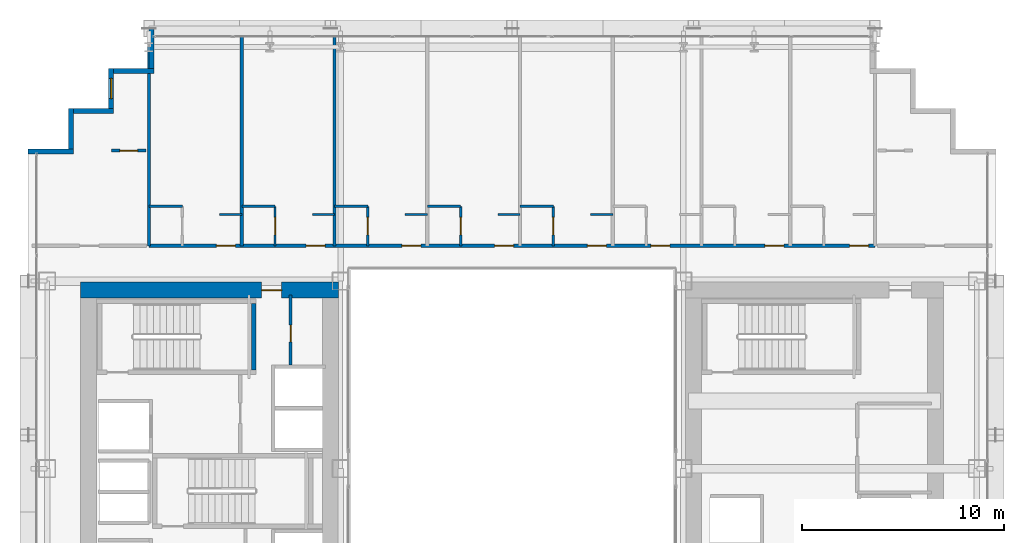
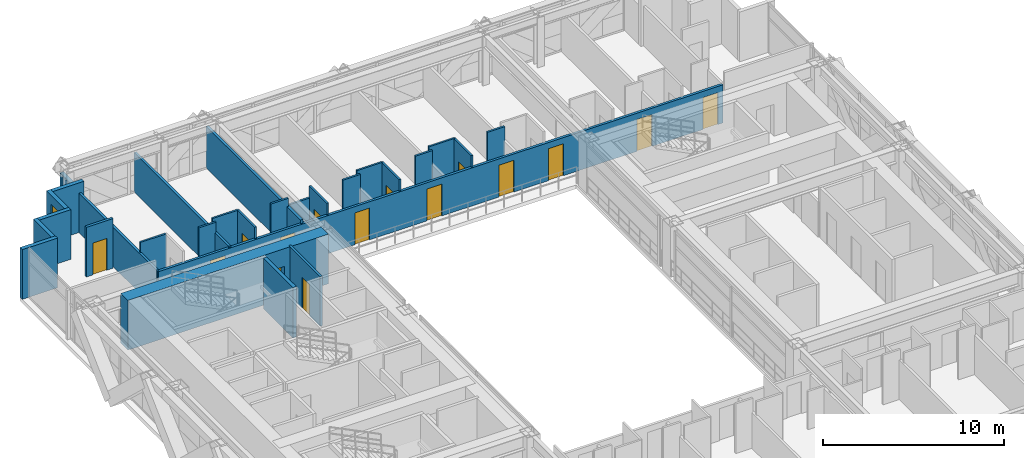
# One storey, part 36 of 41: 28 walls, 15 doors, 1 window, 16 openings.
"""IFC4 building model written with IfcOpenShell, lengths in metres."""

import ifcopenshell
import ifcopenshell.guid

model = None  # the IFC model being written
_history = None  # IfcOwnerHistory: only IFC2X3 demands one
_inside = {}  # id of a spatial element -> (the spatial element, [elements in it])
_under = {}  # id of a project, library or spatial element -> (it, [spatial elements below it])
_declared = {}  # id of a project -> (the project, [libraries it declares])
_typed = {}  # id of a type object -> (the type object, [elements of that type])
_made_of = {}  # id of a material, layer set ... -> (it, [elements and type objects made of it])


def new_model(schema):
    """Start an empty IFC model of exactly this schema.

    Asked for "IFC4X3", IfcOpenShell would pick the latest addendum, in which some entities
    have other attributes; the version numbers below select the first issue.
    IFC2X3 requires an IfcOwnerHistory on every rooted entity: one is made here for all.
    """
    global model, _history
    if schema == "IFC4X3":
        model = ifcopenshell.file(schema_version=(4, 3, 0, 0))
    else:
        model = ifcopenshell.file(schema=schema)
    _inside.clear()
    _under.clear()
    _declared.clear()
    _typed.clear()
    _made_of.clear()
    _history = None
    if model.schema == "IFC2X3":
        org = make("IfcOrganization", Name="unknown")
        user = make(
            "IfcPersonAndOrganization",
            ThePerson=make("IfcPerson", FamilyName="unknown"),
            TheOrganization=org,
        )
        app = make(
            "IfcApplication",
            ApplicationDeveloper=org,
            Version="unknown",
            ApplicationFullName="unknown",
            ApplicationIdentifier="unknown",
        )
        _history = make(
            "IfcOwnerHistory",
            OwningUser=user,
            OwningApplication=app,
            ChangeAction="ADDED",
            CreationDate=0,
        )
    return model


def make(cls, **values):
    """One entity of the class cls with the attributes given. An attribute that is None is left unset."""
    return model.create_entity(
        cls, **{name: value for name, value in values.items() if value is not None}
    )


def rooted(cls, **values):
    """An entity with a GlobalId (a new one), such as an element, a storey or a relation."""
    return make(cls, GlobalId=ifcopenshell.guid.new(), OwnerHistory=_history, **values)


def si_unit(unit_type, name, prefix=None):
    """IfcSIUnit, for example si_unit("LENGTHUNIT", "METRE", prefix="MILLI")."""
    return make("IfcSIUnit", UnitType=unit_type, Prefix=prefix, Name=name)


def assignment(units):
    """IfcUnitAssignment: the units of a project."""
    return None if units is None else make("IfcUnitAssignment", Units=units)


def point(xyz):
    """IfcCartesianPoint."""
    return None if xyz is None else make("IfcCartesianPoint", Coordinates=xyz)


def direction(xyz):
    """IfcDirection."""
    return None if xyz is None else make("IfcDirection", DirectionRatios=xyz)


def frame(location, z_axis=None, x_axis=None):
    """IfcAxis2Placement3D, a coordinate frame: its origin and axes. An axis left out is left unset."""
    return make(
        "IfcAxis2Placement3D",
        Location=point(location),
        Axis=direction(z_axis),
        RefDirection=direction(x_axis),
    )


def frame_2d(location, x_axis=None):
    """IfcAxis2Placement2D, a coordinate frame in the plane: its origin and x axis."""
    return make(
        "IfcAxis2Placement2D", Location=point(location), RefDirection=direction(x_axis)
    )


def origin():
    """The frame at (0, 0, 0) with its axes left unset."""
    return frame((0.0, 0.0, 0.0))


def place(relative_to, where):
    """IfcLocalPlacement: puts the frame where relative to a parent placement (None: the world)."""
    return make(
        "IfcLocalPlacement", PlacementRelTo=relative_to, RelativePlacement=where
    )


def context(
    kind, dimensions, precision=None, world=None, true_north=None, identifier=None
):
    """IfcGeometricRepresentationContext, for example the 3D "Model" context."""
    return make(
        "IfcGeometricRepresentationContext",
        ContextIdentifier=identifier,
        ContextType=kind,
        CoordinateSpaceDimension=dimensions,
        Precision=precision,
        WorldCoordinateSystem=world,
        TrueNorth=true_north,
    )


def subcontext(parent, identifier, kind, view, scale=None):
    """IfcGeometricRepresentationSubContext, for example "Body" below "Model"."""
    return make(
        "IfcGeometricRepresentationSubContext",
        ContextIdentifier=identifier,
        ContextType=kind,
        ParentContext=parent,
        TargetScale=scale,
        TargetView=view,
    )


def project(units=None, contexts=None):
    """IfcProject with its units and contexts."""
    return rooted(
        "IfcProject",
        Name="project",
        RepresentationContexts=contexts,
        UnitsInContext=assignment(units),
    )


def spatial(cls, under=None, at=None, **own):
    """A site, building, storey or space (cls), placed at a placement, below another one or the project."""
    s = rooted(cls, ObjectPlacement=at, **own)
    if under is not None:
        _under.setdefault(under.id(), (under, []))[1].append(s)
    return s


def profile(cls, at=None, kind="AREA", **sizes):
    """A parametric profile (cls). Its sizes go by their IFC names, for example OverallWidth=200.0."""
    return make(cls, ProfileType=kind, Position=at, **sizes)


def rectangle(**sizes):
    """IfcRectangleProfileDef."""
    return profile("IfcRectangleProfileDef", **sizes)


def extrude(swept, where, along, depth):
    """IfcExtrudedAreaSolid: the profile swept, set in the frame where, extruded along a direction by depth."""
    return make(
        "IfcExtrudedAreaSolid",
        SweptArea=swept,
        Position=where,
        ExtrudedDirection=direction(along),
        Depth=depth,
    )


def shape(context_of_items, identifier, shape_type, items):
    """IfcShapeRepresentation: the items that make up one representation, for example the "Body"."""
    return make(
        "IfcShapeRepresentation",
        ContextOfItems=context_of_items,
        RepresentationIdentifier=identifier,
        RepresentationType=shape_type,
        Items=items,
    )


def source(mapping_origin, context_of_items, identifier, shape_type, items):
    """IfcRepresentationMap: a shape defined once, which mapped items show again and again."""
    return make(
        "IfcRepresentationMap",
        MappingOrigin=mapping_origin,
        MappedRepresentation=shape(context_of_items, identifier, shape_type, items),
    )


def transform(
    local_origin,
    x_axis=None,
    y_axis=None,
    z_axis=None,
    scale=None,
    scale2=None,
    scale3=None,
    uniform=True,
):
    """IfcCartesianTransformationOperator3D, or its non-uniform kind. x_axis, y_axis, z_axis: its Axis1, 2, 3."""
    if uniform:
        return make(
            "IfcCartesianTransformationOperator3D",
            Axis1=direction(x_axis),
            Axis2=direction(y_axis),
            LocalOrigin=point(local_origin),
            Scale=scale,
            Axis3=direction(z_axis),
        )
    return make(
        "IfcCartesianTransformationOperator3DnonUniform",
        Axis1=direction(x_axis),
        Axis2=direction(y_axis),
        LocalOrigin=point(local_origin),
        Scale=scale,
        Axis3=direction(z_axis),
        Scale2=scale2,
        Scale3=scale3,
    )


def mapped(mapping_source, mapping_target):
    """IfcMappedItem: shows the shape of a source again, moved by a transform."""
    return make(
        "IfcMappedItem", MappingSource=mapping_source, MappingTarget=mapping_target
    )


def material(Name=None, Category=None):
    """IfcMaterial."""
    return make("IfcMaterial", Name=Name, Category=Category)


def layer(
    of_material, thickness, ventilated=None, Name=None, Category=None, Priority=None
):
    """IfcMaterialLayer: one layer of a wall or slab, of a material (None: an air gap)."""
    return make(
        "IfcMaterialLayer",
        Material=of_material,
        LayerThickness=thickness,
        IsVentilated=ventilated,
        Name=Name,
        Category=Category,
        Priority=Priority,
    )


def layer_set(layers, Name=None):
    """IfcMaterialLayerSet."""
    return make("IfcMaterialLayerSet", MaterialLayers=layers, LayerSetName=Name)


def made_of(thing, what):
    """Note that an element or type object is made of a material, layer set ...; save() writes the relation."""
    if what is not None:
        _made_of.setdefault(what.id(), (what, []))[1].append(thing)
    return thing


def type_object(cls, material=None, **own):
    """A type object (cls), such as IfcWallType, which elements share."""
    return made_of(rooted(cls, **own), material)


def element(
    cls,
    number,
    at=None,
    inside=None,
    cuts=None,
    type_object=None,
    material=None,
    context=None,
    identifier="Body",
    shape_type=None,
    held_by="IfcProductDefinitionShape",
    body=None,
    shapes=None,
    **own,
):
    """One element of the class cls, such as IfcWall. Its Tag is "e" and its number.

    at: its placement. inside: the storey or other place that contains it. cuts: it is an
    opening in that element (IfcRelVoidsElement). A single representation is given by context,
    identifier, shape_type and body (its items); several are given by shapes. held_by: the class
    of the entity that holds the representations. save() writes the other relations.
    """
    e = rooted(cls, Tag="e%d" % number, ObjectPlacement=at, **own)
    if body is not None:
        shapes = [shape(context, identifier, shape_type, body)]
    if shapes is not None:
        e.Representation = make(held_by, Representations=shapes)
    if inside is not None:
        _inside.setdefault(inside.id(), (inside, []))[1].append(e)
    if cuts is not None:
        rooted(
            "IfcRelVoidsElement", RelatingBuildingElement=cuts, RelatedOpeningElement=e
        )
    if type_object is not None:
        _typed.setdefault(type_object.id(), (type_object, []))[1].append(e)
    return made_of(e, material)


def fill(opening, filler):
    """IfcRelFillsElement: the door or window that sits in an opening."""
    return rooted(
        "IfcRelFillsElement",
        RelatingOpeningElement=opening,
        RelatedBuildingElement=filler,
    )


def aggregate(whole, parts):
    """IfcRelAggregates: a whole, such as a stair, and the parts it consists of."""
    return rooted("IfcRelAggregates", RelatingObject=whole, RelatedObjects=parts)


def save(model, path):
    """Write the relations noted so far, then the file.

    IfcRelAggregates (storeys below a building ...), IfcRelContainedInSpatialStructure (elements
    in a storey), IfcRelDefinesByType, IfcRelAssociatesMaterial and IfcRelDeclares: one each for
    every whole, place, type object, material and project.
    """
    for whole, parts in _under.values():
        aggregate(whole, parts)
    for where, things in _inside.values():
        rooted(
            "IfcRelContainedInSpatialStructure",
            RelatedElements=things,
            RelatingStructure=where,
        )
    for kind, things in _typed.values():
        rooted("IfcRelDefinesByType", RelatedObjects=things, RelatingType=kind)
    for what, things in _made_of.values():
        rooted("IfcRelAssociatesMaterial", RelatedObjects=things, RelatingMaterial=what)
    for by, libraries in _declared.values():
        rooted("IfcRelDeclares", RelatingContext=by, RelatedDefinitions=libraries)
    model.write(path)


model = new_model("IFC4")

# Units and contexts
model_context = context("Model", 3, precision=1e-05, world=origin(), true_north=direction((0.0, 1.0)))
body_context = subcontext(model_context, "Body", "Model", "MODEL_VIEW")
ifc_project = project(units=[si_unit("LENGTHUNIT", "METRE"), si_unit("AREAUNIT", "SQUARE_METRE"), si_unit("VOLUMEUNIT", "CUBIC_METRE"), si_unit("PLANEANGLEUNIT", "RADIAN"), si_unit("MASSUNIT", "GRAM", prefix="KILO")], contexts=[model_context])

# Site, building, storey
site_placement = place(None, origin())
site = spatial("IfcSite", under=ifc_project, at=site_placement, CompositionType="ELEMENT")
building_placement = place(site_placement, origin())
building = spatial("IfcBuilding", under=site, at=building_placement, Name="Ocotamira Hotel", CompositionType="ELEMENT")
storey_placement = place(building_placement, frame((0.0, 0.0, 38.39990234375)))
storey = spatial("IfcBuildingStorey", under=building, at=storey_placement, Name="L08", CompositionType="ELEMENT", Elevation=38.39990234375)

# Wall, opening, door
ifc_material_1 = material(Name="Concrete C60/75", Category="concrete")
ifc_layer_1 = layer(ifc_material_1, 0.800048828125)
ifc_layer_set_1 = layer_set([ifc_layer_1], Name="Concrete C60/75")
wall_type_1 = type_object("IfcWallType", Name="WL-CORE-800", PredefinedType="SHEAR", material=ifc_layer_set_1)
wall_1_placement = place(storey_placement, frame((10.60009765625, 37.0, 0.0), z_axis=(0.0, 0.0, 1.0), x_axis=(1.0, 0.0, 0.0)))
wall_1 = element("IfcWall", 1, at=wall_1_placement, inside=storey, type_object=wall_type_1, Name="L08 Shear Core Wall WCORE-N", PredefinedType="SHEAR", context=body_context, shape_type="SweptSolid", body=[
    extrude(rectangle(XDim=12.7998046875, YDim=0.800048828125, at=frame_2d((6.39990234375, 0.0))), origin(), (0.0, 0.0, 1.0), 3.35009765625),
])
opening_1_placement = place(wall_1_placement, frame((8.97998046875, 0.0, 0.0)))
opening_1 = element("IfcOpeningElement", 2, at=opening_1_placement, cuts=wall_1, Name="Opening D-FR2", PredefinedType="OPENING", context=body_context, shape_type="SweptSolid", body=[
    extrude(rectangle(XDim=1.0, YDim=2.14990234375, at=frame_2d((0.5, 1.074951171875))), frame((0.0, 0.41015625, 0.0), z_axis=(0.0, -1.0, 0.0), x_axis=(1.0, 0.0, 0.0)), (0.0, 0.0, 1.0), 0.820068359375),
])
ifc_material_2 = material(Name="Fire-rated acoustic timber-veneer door", Category="wood")
door_type_1 = type_object("IfcDoorType", Name="DR-FIRE-1000", OperationType="NOTDEFINED", PredefinedType="DOOR", material=ifc_material_2)
shared_shape_1 = source(origin(), body_context, "Body", "SweptSolid", [
    extrude(rectangle(XDim=1.0, YDim=2.14990234375, at=frame_2d((0.5, 1.074951171875))), frame((0.0, 0.02490234375, 0.0), z_axis=(0.0, -1.0, 0.0), x_axis=(1.0, 0.0, 0.0)), (0.0, 0.0, 1.0), 0.050048828125),
])
door_1_placement = place(opening_1_placement, origin())
door_1 = element("IfcDoor", 3, at=door_1_placement, inside=storey, type_object=door_type_1, Name="L08 Door ID-L08-WLOB-N-D [ID-L08-WLOB-N-D]", OperationType="SINGLE_SWING_RIGHT", OverallHeight=2.14990234375, OverallWidth=1.0, PredefinedType="DOOR", context=body_context, shape_type="MappedRepresentation", body=[
    mapped(shared_shape_1, transform((0.0, 0.0, 0.0), scale=1.0)),
])
fill(opening_1, door_1)

# Walls
ifc_material_3 = material(Name="Precast concrete C45/55", Category="concrete")
ifc_layer_2 = layer(ifc_material_3, 0.25)
ifc_layer_set_2 = layer_set([ifc_layer_2], Name="Precast concrete C45/55")
wall_type_2 = type_object("IfcWallType", Name="WL-EXT-SER-250", PredefinedType="SOLIDWALL", material=ifc_layer_set_2)
wall_2_placement = place(storey_placement, frame((14.125, 50.0, 0.0), z_axis=(0.0, 0.0, 1.0), x_axis=(0.0, -1.0, 0.0)))
element("IfcWall", 4, at=wall_2_placement, inside=storey, type_object=wall_type_2, Name="L08 Serrated Corner Wall 13", PredefinedType="SOLIDWALL", context=body_context, shape_type="SweptSolid", body=[
    extrude(rectangle(XDim=2.0, YDim=0.25, at=frame_2d((1.0, 0.0))), origin(), (0.0, 0.0, 1.0), 2.656982421875),
])
wall_3_placement = place(storey_placement, frame((14.25, 47.875, 0.0), z_axis=(0.0, 0.0, 1.0), x_axis=(-1.0, 0.0, 0.0)))
element("IfcWall", 5, at=wall_3_placement, inside=storey, type_object=wall_type_2, Name="L08 Serrated Corner Wall 14", PredefinedType="SOLIDWALL", context=body_context, shape_type="SweptSolid", body=[
    extrude(rectangle(XDim=2.0, YDim=0.25, at=frame_2d((1.0, 0.0))), origin(), (0.0, 0.0, 1.0), 3.35009765625),
])

# Wall, opening, window
wall_4_placement = place(storey_placement, frame((12.125, 48.0, 0.0), z_axis=(0.0, 0.0, 1.0), x_axis=(0.0, -1.0, 0.0)))
wall_4 = element("IfcWall", 6, at=wall_4_placement, inside=storey, type_object=wall_type_2, Name="L08 Serrated Corner Wall 15", PredefinedType="SOLIDWALL", context=body_context, shape_type="SweptSolid", body=[
    extrude(rectangle(XDim=2.0, YDim=0.25, at=frame_2d((1.0, 0.0))), origin(), (0.0, 0.0, 1.0), 3.35009765625),
])
opening_2_placement = place(wall_4_placement, frame((0.5, 0.0, 0.85009765625)))
opening_2 = element("IfcOpeningElement", 7, at=opening_2_placement, cuts=wall_4, Name="Opening WN-2", PredefinedType="OPENING", context=body_context, shape_type="SweptSolid", body=[
    extrude(rectangle(XDim=1.0, YDim=1.89990234375, at=frame_2d((0.5, 0.949951171875))), frame((0.0, 0.135009765625, 0.0), z_axis=(0.0, -1.0, 0.0), x_axis=(1.0, 0.0, 0.0)), (0.0, 0.0, 1.0), 0.27001953125),
])
ifc_material_4 = material(Name="Double-silver low-E solar glass", Category="glass")
window_type = type_object("IfcWindowType", Name="WIN-SER-1100", PartitioningType="SINGLE_PANEL", PredefinedType="WINDOW", material=ifc_material_4)
shared_shape_2 = source(origin(), body_context, "Body", "SweptSolid", [
    extrude(rectangle(XDim=1.0, YDim=1.89990234375, at=frame_2d((0.5, 0.949951171875))), frame((0.0, 0.030029296875, 0.0), z_axis=(0.0, -1.0, 0.0), x_axis=(1.0, 0.0, 0.0)), (0.0, 0.0, 1.0), 0.06005859375),
])
window_placement = place(opening_2_placement, origin())
window = element("IfcWindow", 8, at=window_placement, inside=storey, type_object=window_type, Name="L08 Serrated Corner Window 15", OverallHeight=1.89990234375, OverallWidth=1.0, PartitioningType="SINGLE_PANEL", PredefinedType="WINDOW", context=body_context, shape_type="MappedRepresentation", body=[
    mapped(shared_shape_2, transform((0.0, 0.0, 0.0), scale=1.0)),
])
fill(opening_2, window)

# Walls
for number, where, z_axis, x_axis, name in (
    (9, (12.25, 45.875, 0.0), (0.0, 0.0, 1.0), (-1.0, 0.0, 0.0), "L08 Serrated Corner Wall 16"),
    (10, (10.125, 46.0, 0.0), (0.0, 0.0, 1.0), (0.0, -1.0, 0.0), "L08 Serrated Corner Wall 17"),
):
    element("IfcWall", number, at=place(storey_placement, frame(where, z_axis=z_axis, x_axis=x_axis)), inside=storey, type_object=wall_type_2, Name=name, PredefinedType="SOLIDWALL", context=body_context, shape_type="SweptSolid", body=[
        extrude(rectangle(XDim=2.0, YDim=0.25, at=frame_2d((1.0, 0.0))), origin(), (0.0, 0.0, 1.0), 3.35009765625),
    ])
wall_5_placement = place(storey_placement, frame((10.25, 43.875, 0.0), z_axis=(0.0, 0.0, 1.0), x_axis=(-1.0, 0.0, 0.0)))
element("IfcWall", 11, at=wall_5_placement, inside=storey, type_object=wall_type_2, Name="L08 Serrated Corner Wall 18", PredefinedType="SOLIDWALL", context=body_context, shape_type="SweptSolid", body=[
    extrude(rectangle(XDim=2.25, YDim=0.25, at=frame_2d((1.125, 0.0))), origin(), (0.0, 0.0, 1.0), 3.35009765625),
])

# Wall, opening, door
ifc_material_5 = material(Name="Acoustic double-layer fire gypsum board partition", Category="gypsum")
ifc_layer_3 = layer(ifc_material_5, 0.159912109375)
ifc_layer_set_3 = layer_set([ifc_layer_3], Name="Acoustic double-layer fire gypsum board partition")
wall_type_3 = type_object("IfcWallType", Name="WL-FIRE-160", PredefinedType="PARTITIONING", material=ifc_layer_set_3)
wall_6_placement = place(storey_placement, frame((12.14990234375, 43.919921875, 0.0), z_axis=(0.0, 0.0, 1.0), x_axis=(1.0, 0.0, 0.0)))
wall_6 = element("IfcWall", 12, at=wall_6_placement, inside=storey, type_object=wall_type_3, Name="L08 Interior Wall PW-L08-Z1A-CNW2-CW", PredefinedType="PARTITIONING", context=body_context, shape_type="SweptSolid", body=[
    extrude(rectangle(XDim=1.7001953125, YDim=0.159912109375, at=frame_2d((0.85009765625, 0.0))), origin(), (0.0, 0.0, 1.0), 3.35009765625),
])
opening_3_placement = place(wall_6_placement, frame((0.409912109375, 0.0, 0.0)))
opening_3 = element("IfcOpeningElement", 13, at=opening_3_placement, cuts=wall_6, Name="Opening D-SV2", PredefinedType="OPENING", context=body_context, shape_type="SweptSolid", body=[
    extrude(rectangle(XDim=0.8798828125, YDim=2.14990234375, at=frame_2d((0.43994140625, 1.074951171875))), frame((0.0, 0.08984375, 0.0), z_axis=(0.0, -1.0, 0.0), x_axis=(1.0, 0.0, 0.0)), (0.0, 0.0, 1.0), 0.179931640625),
])
ifc_material_6 = material(Name="Fire-rated painted steel service door", Category="steel")
door_type_2 = type_object("IfcDoorType", Name="DR-SERV-880", OperationType="NOTDEFINED", PredefinedType="DOOR", material=ifc_material_6)
shared_shape_3 = source(origin(), body_context, "Body", "SweptSolid", [
    extrude(rectangle(XDim=0.8798828125, YDim=2.14990234375, at=frame_2d((0.43994140625, 1.074951171875))), frame((0.0, 0.02490234375, 0.0), z_axis=(0.0, -1.0, 0.0), x_axis=(1.0, 0.0, 0.0)), (0.0, 0.0, 1.0), 0.050048828125),
])
door_2_placement = place(opening_3_placement, origin())
door_2 = element("IfcDoor", 14, at=door_2_placement, inside=storey, type_object=door_type_2, Name="L08 Door ID-L08-Z1A-CNW2-CD [ID-L08-Z1A-CNW2-CD]", OperationType="SINGLE_SWING_LEFT", OverallHeight=2.14990234375, OverallWidth=0.8798828125, PredefinedType="DOOR", context=body_context, shape_type="MappedRepresentation", body=[
    mapped(shared_shape_3, transform((0.0, 0.0, 0.0), scale=1.0)),
])
fill(opening_3, door_2)

# Wall, openings, doors
wall_7_placement = place(storey_placement, frame((14.0, 39.199951171875, 0.0), z_axis=(0.0, 0.0, 1.0), x_axis=(1.0, 0.0, 0.0)))
wall_7 = element("IfcWall", 15, at=wall_7_placement, inside=storey, type_object=wall_type_3, Name="L08 Interior Wall PW-L08-Z1AN-CORRW", PredefinedType="PARTITIONING", context=body_context, shape_type="SweptSolid", body=[
    extrude(rectangle(XDim=36.0, YDim=0.159912109375, at=frame_2d((18.0, 0.0))), origin(), (0.0, 0.0, 1.0), 2.571044921875),
])
opening_4_placement = place(wall_7_placement, frame((3.340087890625, 0.0, 0.0)))
opening_4 = element("IfcOpeningElement", 16, at=opening_4_placement, cuts=wall_7, Name="Opening D-GR1", PredefinedType="OPENING", context=body_context, shape_type="SweptSolid", body=[
    extrude(rectangle(XDim=0.93994140625, YDim=2.14990234375, at=frame_2d((0.469970703125, 1.074951171875))), frame((0.0, 0.08984375, 0.0), z_axis=(0.0, -1.0, 0.0), x_axis=(1.0, 0.0, 0.0)), (0.0, 0.0, 1.0), 0.179931640625),
])
opening_5_placement = place(wall_7_placement, frame((7.7900390625, 0.0, 0.0)))
opening_5 = element("IfcOpeningElement", 17, at=opening_5_placement, cuts=wall_7, Name="Opening D-GR1", PredefinedType="OPENING", context=body_context, shape_type="SweptSolid", body=[
    extrude(rectangle(XDim=0.93994140625, YDim=2.14990234375, at=frame_2d((0.469970703125, 1.074951171875))), frame((0.0, 0.08984375, 0.0), z_axis=(0.0, -1.0, 0.0), x_axis=(1.0, 0.0, 0.0)), (0.0, 0.0, 1.0), 0.179931640625),
])
opening_6_placement = place(wall_7_placement, frame((12.5400390625, 0.0, 0.0)))
opening_6 = element("IfcOpeningElement", 18, at=opening_6_placement, cuts=wall_7, Name="Opening D-GR1", PredefinedType="OPENING", context=body_context, shape_type="SweptSolid", body=[
    extrude(rectangle(XDim=0.93994140625, YDim=2.14990234375, at=frame_2d((0.469970703125, 1.074951171875))), frame((0.0, 0.08984375, 0.0), z_axis=(0.0, -1.0, 0.0), x_axis=(1.0, 0.0, 0.0)), (0.0, 0.0, 1.0), 0.179931640625),
])
opening_7_placement = place(wall_7_placement, frame((17.139892578125, 0.0, 0.0)))
opening_7 = element("IfcOpeningElement", 19, at=opening_7_placement, cuts=wall_7, Name="Opening D-GR1", PredefinedType="OPENING", context=body_context, shape_type="SweptSolid", body=[
    extrude(rectangle(XDim=0.93994140625, YDim=2.14990234375, at=frame_2d((0.469970703125, 1.074951171875))), frame((0.0, 0.08984375, 0.0), z_axis=(0.0, -1.0, 0.0), x_axis=(1.0, 0.0, 0.0)), (0.0, 0.0, 1.0), 0.179931640625),
])
opening_8_placement = place(wall_7_placement, frame((21.739990234375, 0.0, 0.0)))
opening_8 = element("IfcOpeningElement", 20, at=opening_8_placement, cuts=wall_7, Name="Opening D-GR1", PredefinedType="OPENING", context=body_context, shape_type="SweptSolid", body=[
    extrude(rectangle(XDim=0.93994140625, YDim=2.14990234375, at=frame_2d((0.469970703125, 1.074951171875))), frame((0.0, 0.08984375, 0.0), z_axis=(0.0, -1.0, 0.0), x_axis=(1.0, 0.0, 0.0)), (0.0, 0.0, 1.0), 0.179931640625),
])
opening_9_placement = place(wall_7_placement, frame((24.889892578125, 0.0, 0.0)))
opening_9 = element("IfcOpeningElement", 21, at=opening_9_placement, cuts=wall_7, Name="Opening D-GR1", PredefinedType="OPENING", context=body_context, shape_type="SweptSolid", body=[
    extrude(rectangle(XDim=0.93994140625, YDim=2.14990234375, at=frame_2d((0.469970703125, 1.074951171875))), frame((0.0, 0.08984375, 0.0), z_axis=(0.0, -1.0, 0.0), x_axis=(1.0, 0.0, 0.0)), (0.0, 0.0, 1.0), 0.179931640625),
])
opening_10_placement = place(wall_7_placement, frame((30.5400390625, 0.0, 0.0)))
opening_10 = element("IfcOpeningElement", 22, at=opening_10_placement, cuts=wall_7, Name="Opening D-GR1", PredefinedType="OPENING", context=body_context, shape_type="SweptSolid", body=[
    extrude(rectangle(XDim=0.93994140625, YDim=2.14990234375, at=frame_2d((0.469970703125, 1.074951171875))), frame((0.0, 0.08984375, 0.0), z_axis=(0.0, -1.0, 0.0), x_axis=(1.0, 0.0, 0.0)), (0.0, 0.0, 1.0), 0.179931640625),
])
opening_11_placement = place(wall_7_placement, frame((34.739990234375, 0.0, 0.0)))
opening_11 = element("IfcOpeningElement", 23, at=opening_11_placement, cuts=wall_7, Name="Opening D-GR1", PredefinedType="OPENING", context=body_context, shape_type="SweptSolid", body=[
    extrude(rectangle(XDim=0.93994140625, YDim=2.14990234375, at=frame_2d((0.469970703125, 1.074951171875))), frame((0.0, 0.08984375, 0.0), z_axis=(0.0, -1.0, 0.0), x_axis=(1.0, 0.0, 0.0)), (0.0, 0.0, 1.0), 0.179931640625),
])
ifc_material_7 = material(Name="Solid-core walnut suite entrance fire door", Category="wood")
door_type_3 = type_object("IfcDoorType", Name="DR-GUEST-940", OperationType="NOTDEFINED", PredefinedType="DOOR", material=ifc_material_7)
shared_shape_4 = source(origin(), body_context, "Body", "SweptSolid", [
    extrude(rectangle(XDim=0.93994140625, YDim=2.14990234375, at=frame_2d((0.469970703125, 1.074951171875))), frame((0.0, 0.02490234375, 0.0), z_axis=(0.0, -1.0, 0.0), x_axis=(1.0, 0.0, 0.0)), (0.0, 0.0, 1.0), 0.050048828125),
])
door_3_placement = place(opening_4_placement, origin())
door_3 = element("IfcDoor", 24, at=door_3_placement, inside=storey, type_object=door_type_3, Name="L08 Door ID-L08-Z1AN-RMD1 [ID-L08-Z1AN-RMD1]", OperationType="SINGLE_SWING_LEFT", OverallHeight=2.14990234375, OverallWidth=0.93994140625, PredefinedType="DOOR", context=body_context, shape_type="MappedRepresentation", body=[
    mapped(shared_shape_4, transform((0.0, 0.0, 0.0), scale=1.0)),
])
fill(opening_4, door_3)
door_4_placement = place(opening_5_placement, origin())
door_4 = element("IfcDoor", 25, at=door_4_placement, inside=storey, type_object=door_type_3, Name="L08 Door ID-L08-Z1AN-RMD2 [ID-L08-Z1AN-RMD2]", OperationType="SINGLE_SWING_RIGHT", OverallHeight=2.14990234375, OverallWidth=0.93994140625, PredefinedType="DOOR", context=body_context, shape_type="MappedRepresentation", body=[
    mapped(shared_shape_4, transform((0.0, 0.0, 0.0), scale=1.0)),
])
fill(opening_5, door_4)
door_5_placement = place(opening_6_placement, origin())
door_5 = element("IfcDoor", 26, at=door_5_placement, inside=storey, type_object=door_type_3, Name="L08 Door ID-L08-Z1AN-RMD3 [ID-L08-Z1AN-RMD3]", OperationType="SINGLE_SWING_LEFT", OverallHeight=2.14990234375, OverallWidth=0.93994140625, PredefinedType="DOOR", context=body_context, shape_type="MappedRepresentation", body=[
    mapped(shared_shape_4, transform((0.0, 0.0, 0.0), scale=1.0)),
])
fill(opening_6, door_5)
door_6_placement = place(opening_7_placement, origin())
door_6 = element("IfcDoor", 27, at=door_6_placement, inside=storey, type_object=door_type_3, Name="L08 Door ID-L08-Z1AN-RMD4 [ID-L08-Z1AN-RMD4]", OperationType="SINGLE_SWING_RIGHT", OverallHeight=2.14990234375, OverallWidth=0.93994140625, PredefinedType="DOOR", context=body_context, shape_type="MappedRepresentation", body=[
    mapped(shared_shape_4, transform((0.0, 0.0, 0.0), scale=1.0)),
])
fill(opening_7, door_6)
door_7_placement = place(opening_8_placement, origin())
door_7 = element("IfcDoor", 28, at=door_7_placement, inside=storey, type_object=door_type_3, Name="L08 Door ID-L08-Z1AN-RMD5 [ID-L08-Z1AN-RMD5]", OperationType="SINGLE_SWING_LEFT", OverallHeight=2.14990234375, OverallWidth=0.93994140625, PredefinedType="DOOR", context=body_context, shape_type="MappedRepresentation", body=[
    mapped(shared_shape_4, transform((0.0, 0.0, 0.0), scale=1.0)),
])
fill(opening_8, door_7)
door_8_placement = place(opening_9_placement, origin())
door_8 = element("IfcDoor", 29, at=door_8_placement, inside=storey, type_object=door_type_3, Name="L08 Door ID-L08-Z1AN-RMD6 [ID-L08-Z1AN-RMD6]", OperationType="SINGLE_SWING_RIGHT", OverallHeight=2.14990234375, OverallWidth=0.93994140625, PredefinedType="DOOR", context=body_context, shape_type="MappedRepresentation", body=[
    mapped(shared_shape_4, transform((0.0, 0.0, 0.0), scale=1.0)),
])
fill(opening_9, door_8)
door_9_placement = place(opening_10_placement, origin())
door_9 = element("IfcDoor", 30, at=door_9_placement, inside=storey, type_object=door_type_3, Name="L08 Door ID-L08-Z1AN-RMD7 [ID-L08-Z1AN-RMD7]", OperationType="SINGLE_SWING_LEFT", OverallHeight=2.14990234375, OverallWidth=0.93994140625, PredefinedType="DOOR", context=body_context, shape_type="MappedRepresentation", body=[
    mapped(shared_shape_4, transform((0.0, 0.0, 0.0), scale=1.0)),
])
fill(opening_10, door_9)
door_10_placement = place(opening_11_placement, origin())
door_10 = element("IfcDoor", 31, at=door_10_placement, inside=storey, type_object=door_type_3, Name="L08 Door ID-L08-Z1AN-RMD8 [ID-L08-Z1AN-RMD8]", OperationType="SINGLE_SWING_RIGHT", OverallHeight=2.14990234375, OverallWidth=0.93994140625, PredefinedType="DOOR", context=body_context, shape_type="MappedRepresentation", body=[
    mapped(shared_shape_4, transform((0.0, 0.0, 0.0), scale=1.0)),
])
fill(opening_11, door_10)

# Walls
ifc_material_8 = material(Name="Moisture-resistant en-suite tile and gypsum partition", Category="gypsum")
ifc_layer_4 = layer(ifc_material_8, 0.1201171875)
ifc_layer_set_4 = layer_set([ifc_layer_4], Name="Moisture-resistant en-suite tile and gypsum partition")
wall_type_4 = type_object("IfcWallType", Name="WL-PART-120", PredefinedType="PARTITIONING", material=ifc_layer_set_4)
wall_8_placement = place(storey_placement, frame((14.0, 41.14990234375, 0.0), z_axis=(0.0, 0.0, 1.0), x_axis=(1.0, 0.0, 0.0)))
element("IfcWall", 32, at=wall_8_placement, inside=storey, type_object=wall_type_4, Name="L08 Interior Wall PW-L08-Z1AN-BAN1", PredefinedType="PARTITIONING", context=body_context, shape_type="SweptSolid", body=[
    extrude(rectangle(XDim=1.64990234375, YDim=0.1201171875, at=frame_2d((0.824951171875, 0.0))), origin(), (0.0, 0.0, 1.0), 3.35009765625),
])
wall_9_placement = place(storey_placement, frame((17.5, 40.75, 0.0), z_axis=(0.0, 0.0, 1.0), x_axis=(1.0, 0.0, 0.0)))
element("IfcWall", 33, at=wall_9_placement, inside=storey, type_object=wall_type_4, Name="L08 Interior Wall PW-L08-Z1AN-DRN1", PredefinedType="PARTITIONING", context=body_context, shape_type="SweptSolid", body=[
    extrude(rectangle(XDim=1.10009765625, YDim=0.1201171875, at=frame_2d((0.550048828125, 0.0))), origin(), (0.0, 0.0, 1.0), 3.35009765625),
])

# Wall, opening, door
wall_10_placement = place(storey_placement, frame((20.25, 39.199951171875, 0.0), z_axis=(0.0, 0.0, 1.0), x_axis=(0.0, 1.0, 0.0)))
wall_10 = element("IfcWall", 34, at=wall_10_placement, inside=storey, type_object=wall_type_4, Name="L08 Interior Wall PW-L08-Z1AN-BAE2", PredefinedType="PARTITIONING", context=body_context, shape_type="SweptSolid", body=[
    extrude(rectangle(XDim=1.949951171875, YDim=0.1201171875, at=frame_2d((0.97509765625, 0.0))), origin(), (0.0, 0.0, 1.0), 3.35009765625),
])
opening_12_placement = place(wall_10_placement, frame((0.544921875, 0.0, 0.0)))
opening_12 = element("IfcOpeningElement", 35, at=opening_12_placement, cuts=wall_10, Name="Opening D-BA1", PredefinedType="OPENING", context=body_context, shape_type="SweptSolid", body=[
    extrude(rectangle(XDim=0.860107421875, YDim=2.10009765625, at=frame_2d((0.43017578125, 1.050048828125))), frame((0.0, 0.070068359375, 0.0), z_axis=(0.0, -1.0, 0.0), x_axis=(1.0, 0.0, 0.0)), (0.0, 0.0, 1.0), 0.14013671875),
])
ifc_material_9 = material(Name="Moisture-sealed en-suite timber door", Category="wood")
door_type_4 = type_object("IfcDoorType", Name="DR-BATH-860", OperationType="NOTDEFINED", PredefinedType="DOOR", material=ifc_material_9)
shared_shape_5 = source(origin(), body_context, "Body", "SweptSolid", [
    extrude(rectangle(XDim=0.860107421875, YDim=2.10009765625, at=frame_2d((0.43017578125, 1.050048828125))), frame((0.0, 0.02490234375, 0.0), z_axis=(0.0, -1.0, 0.0), x_axis=(1.0, 0.0, 0.0)), (0.0, 0.0, 1.0), 0.050048828125),
])
door_11_placement = place(opening_12_placement, origin())
door_11 = element("IfcDoor", 36, at=door_11_placement, inside=storey, type_object=door_type_4, Name="L08 Door ID-L08-Z1AN-BAD2 [ID-L08-Z1AN-BAD2]", OperationType="SINGLE_SWING_LEFT", OverallHeight=2.10009765625, OverallWidth=0.860107421875, PredefinedType="DOOR", context=body_context, shape_type="MappedRepresentation", body=[
    mapped(shared_shape_5, transform((0.0, 0.0, 0.0), scale=1.0)),
])
fill(opening_12, door_11)

# Walls
wall_11_placement = place(storey_placement, frame((18.60009765625, 41.14990234375, 0.0), z_axis=(0.0, 0.0, 1.0), x_axis=(1.0, 0.0, 0.0)))
element("IfcWall", 37, at=wall_11_placement, inside=storey, type_object=wall_type_4, Name="L08 Interior Wall PW-L08-Z1AN-BAN2", PredefinedType="PARTITIONING", context=body_context, shape_type="SweptSolid", body=[
    extrude(rectangle(XDim=1.64990234375, YDim=0.1201171875, at=frame_2d((0.824951171875, 0.0))), origin(), (0.0, 0.0, 1.0), 3.35009765625),
])
wall_12_placement = place(storey_placement, frame((22.10009765625, 40.75, 0.0), z_axis=(0.0, 0.0, 1.0), x_axis=(1.0, 0.0, 0.0)))
element("IfcWall", 38, at=wall_12_placement, inside=storey, type_object=wall_type_4, Name="L08 Interior Wall PW-L08-Z1AN-DRN2", PredefinedType="PARTITIONING", context=body_context, shape_type="SweptSolid", body=[
    extrude(rectangle(XDim=1.099853515625, YDim=0.1201171875, at=frame_2d((0.5498046875, 0.0))), origin(), (0.0, 0.0, 1.0), 3.35009765625),
])

# Wall, opening, door
wall_13_placement = place(storey_placement, frame((24.85009765625, 39.199951171875, 0.0), z_axis=(0.0, 0.0, 1.0), x_axis=(0.0, 1.0, 0.0)))
wall_13 = element("IfcWall", 39, at=wall_13_placement, inside=storey, type_object=wall_type_4, Name="L08 Interior Wall PW-L08-Z1AN-BAE3", PredefinedType="PARTITIONING", context=body_context, shape_type="SweptSolid", body=[
    extrude(rectangle(XDim=1.949951171875, YDim=0.1201171875, at=frame_2d((0.97509765625, 0.0))), origin(), (0.0, 0.0, 1.0), 3.35009765625),
])
opening_13_placement = place(wall_13_placement, frame((0.544921875, 0.0, 0.0)))
opening_13 = element("IfcOpeningElement", 40, at=opening_13_placement, cuts=wall_13, Name="Opening D-BA1", PredefinedType="OPENING", context=body_context, shape_type="SweptSolid", body=[
    extrude(rectangle(XDim=0.860107421875, YDim=2.10009765625, at=frame_2d((0.43017578125, 1.050048828125))), frame((0.0, 0.070068359375, 0.0), z_axis=(0.0, -1.0, 0.0), x_axis=(1.0, 0.0, 0.0)), (0.0, 0.0, 1.0), 0.14013671875),
])
door_12_placement = place(opening_13_placement, origin())
door_12 = element("IfcDoor", 41, at=door_12_placement, inside=storey, type_object=door_type_4, Name="L08 Door ID-L08-Z1AN-BAD3 [ID-L08-Z1AN-BAD3]", OperationType="SINGLE_SWING_RIGHT", OverallHeight=2.10009765625, OverallWidth=0.860107421875, PredefinedType="DOOR", context=body_context, shape_type="MappedRepresentation", body=[
    mapped(shared_shape_5, transform((0.0, 0.0, 0.0), scale=1.0)),
])
fill(opening_13, door_12)

# Walls
wall_14_placement = place(storey_placement, frame((23.199951171875, 41.14990234375, 0.0), z_axis=(0.0, 0.0, 1.0), x_axis=(1.0, 0.0, 0.0)))
element("IfcWall", 42, at=wall_14_placement, inside=storey, type_object=wall_type_4, Name="L08 Interior Wall PW-L08-Z1AN-BAN3", PredefinedType="PARTITIONING", context=body_context, shape_type="SweptSolid", body=[
    extrude(rectangle(XDim=1.650146484375, YDim=0.1201171875, at=frame_2d((0.8251953125, 0.0))), origin(), (0.0, 0.0, 1.0), 2.571044921875),
])
wall_15_placement = place(storey_placement, frame((26.699951171875, 40.75, 0.0), z_axis=(0.0, 0.0, 1.0), x_axis=(1.0, 0.0, 0.0)))
element("IfcWall", 43, at=wall_15_placement, inside=storey, type_object=wall_type_4, Name="L08 Interior Wall PW-L08-Z1AN-DRN3", PredefinedType="PARTITIONING", context=body_context, shape_type="SweptSolid", body=[
    extrude(rectangle(XDim=1.10009765625, YDim=0.1201171875, at=frame_2d((0.550048828125, 0.0))), origin(), (0.0, 0.0, 1.0), 3.35009765625),
])

# Wall, opening, door
wall_16_placement = place(storey_placement, frame((29.449951171875, 39.199951171875, 0.0), z_axis=(0.0, 0.0, 1.0), x_axis=(0.0, 1.0, 0.0)))
wall_16 = element("IfcWall", 44, at=wall_16_placement, inside=storey, type_object=wall_type_4, Name="L08 Interior Wall PW-L08-Z1AN-BAE4", PredefinedType="PARTITIONING", context=body_context, shape_type="SweptSolid", body=[
    extrude(rectangle(XDim=1.949951171875, YDim=0.1201171875, at=frame_2d((0.97509765625, 0.0))), origin(), (0.0, 0.0, 1.0), 3.35009765625),
])
opening_14_placement = place(wall_16_placement, frame((0.544921875, 0.0, 0.0)))
opening_14 = element("IfcOpeningElement", 45, at=opening_14_placement, cuts=wall_16, Name="Opening D-BA1", PredefinedType="OPENING", context=body_context, shape_type="SweptSolid", body=[
    extrude(rectangle(XDim=0.860107421875, YDim=2.10009765625, at=frame_2d((0.43017578125, 1.050048828125))), frame((0.0, 0.070068359375, 0.0), z_axis=(0.0, -1.0, 0.0), x_axis=(1.0, 0.0, 0.0)), (0.0, 0.0, 1.0), 0.14013671875),
])
door_13_placement = place(opening_14_placement, origin())
door_13 = element("IfcDoor", 46, at=door_13_placement, inside=storey, type_object=door_type_4, Name="L08 Door ID-L08-Z1AN-BAD4 [ID-L08-Z1AN-BAD4]", OperationType="SINGLE_SWING_LEFT", OverallHeight=2.10009765625, OverallWidth=0.860107421875, PredefinedType="DOOR", context=body_context, shape_type="MappedRepresentation", body=[
    mapped(shared_shape_5, transform((0.0, 0.0, 0.0), scale=1.0)),
])
fill(opening_14, door_13)

# Walls
wall_17_placement = place(storey_placement, frame((27.800048828125, 41.14990234375, 0.0), z_axis=(0.0, 0.0, 1.0), x_axis=(1.0, 0.0, 0.0)))
element("IfcWall", 47, at=wall_17_placement, inside=storey, type_object=wall_type_4, Name="L08 Interior Wall PW-L08-Z1AN-BAN4", PredefinedType="PARTITIONING", context=body_context, shape_type="SweptSolid", body=[
    extrude(rectangle(XDim=1.64990234375, YDim=0.1201171875, at=frame_2d((0.824951171875, 0.0))), origin(), (0.0, 0.0, 1.0), 3.35009765625),
])
wall_18_placement = place(storey_placement, frame((31.300048828125, 40.75, 0.0), z_axis=(0.0, 0.0, 1.0), x_axis=(1.0, 0.0, 0.0)))
element("IfcWall", 48, at=wall_18_placement, inside=storey, type_object=wall_type_4, Name="L08 Interior Wall PW-L08-Z1AN-DRN4", PredefinedType="PARTITIONING", context=body_context, shape_type="SweptSolid", body=[
    extrude(rectangle(XDim=1.099853515625, YDim=0.1201171875, at=frame_2d((0.5498046875, 0.0))), origin(), (0.0, 0.0, 1.0), 3.35009765625),
])

# Wall, opening, door
wall_19_placement = place(storey_placement, frame((34.050048828125, 39.199951171875, 0.0), z_axis=(0.0, 0.0, 1.0), x_axis=(0.0, 1.0, 0.0)))
wall_19 = element("IfcWall", 49, at=wall_19_placement, inside=storey, type_object=wall_type_4, Name="L08 Interior Wall PW-L08-Z1AN-BAE5", PredefinedType="PARTITIONING", context=body_context, shape_type="SweptSolid", body=[
    extrude(rectangle(XDim=1.949951171875, YDim=0.1201171875, at=frame_2d((0.97509765625, 0.0))), origin(), (0.0, 0.0, 1.0), 3.35009765625),
])
opening_15_placement = place(wall_19_placement, frame((0.544921875, 0.0, 0.0)))
opening_15 = element("IfcOpeningElement", 50, at=opening_15_placement, cuts=wall_19, Name="Opening D-BA1", PredefinedType="OPENING", context=body_context, shape_type="SweptSolid", body=[
    extrude(rectangle(XDim=0.860107421875, YDim=2.10009765625, at=frame_2d((0.43017578125, 1.050048828125))), frame((0.0, 0.070068359375, 0.0), z_axis=(0.0, -1.0, 0.0), x_axis=(1.0, 0.0, 0.0)), (0.0, 0.0, 1.0), 0.14013671875),
])
door_14_placement = place(opening_15_placement, origin())
door_14 = element("IfcDoor", 51, at=door_14_placement, inside=storey, type_object=door_type_4, Name="L08 Door ID-L08-Z1AN-BAD5 [ID-L08-Z1AN-BAD5]", OperationType="SINGLE_SWING_RIGHT", OverallHeight=2.10009765625, OverallWidth=0.860107421875, PredefinedType="DOOR", context=body_context, shape_type="MappedRepresentation", body=[
    mapped(shared_shape_5, transform((0.0, 0.0, 0.0), scale=1.0)),
])
fill(opening_15, door_14)

# Walls
wall_20_placement = place(storey_placement, frame((32.39990234375, 41.14990234375, 0.0), z_axis=(0.0, 0.0, 1.0), x_axis=(1.0, 0.0, 0.0)))
element("IfcWall", 52, at=wall_20_placement, inside=storey, type_object=wall_type_4, Name="L08 Interior Wall PW-L08-Z1AN-BAN5", PredefinedType="PARTITIONING", context=body_context, shape_type="SweptSolid", body=[
    extrude(rectangle(XDim=1.650146484375, YDim=0.1201171875, at=frame_2d((0.8251953125, 0.0))), origin(), (0.0, 0.0, 1.0), 3.35009765625),
])
wall_21_placement = place(storey_placement, frame((35.89990234375, 40.75, 0.0), z_axis=(0.0, 0.0, 1.0), x_axis=(1.0, 0.0, 0.0)))
element("IfcWall", 53, at=wall_21_placement, inside=storey, type_object=wall_type_4, Name="L08 Interior Wall PW-L08-Z1AN-DRN5", PredefinedType="PARTITIONING", context=body_context, shape_type="SweptSolid", body=[
    extrude(rectangle(XDim=1.10009765625, YDim=0.1201171875, at=frame_2d((0.550048828125, 0.0))), origin(), (0.0, 0.0, 1.0), 3.35009765625),
])

# Wall, opening, door
ifc_material_10 = material(Name="Acoustic hospitality gypsum board partition", Category="gypsum")
ifc_layer_5 = layer(ifc_material_10, 0.14208984375)
ifc_layer_set_5 = layer_set([ifc_layer_5], Name="Acoustic hospitality gypsum board partition")
wall_type_5 = type_object("IfcWallType", Name="WL-PART-142", PredefinedType="PARTITIONING", material=ifc_layer_set_5)
wall_22_placement = place(storey_placement, frame((21.02001953125, 33.280029296875, 0.0), z_axis=(0.0, 0.0, 1.0), x_axis=(0.0, 1.0, 0.0)))
wall_22 = element("IfcWall", 54, at=wall_22_placement, inside=storey, type_object=wall_type_5, Name="L08 Interior Wall PW-L08-WC-NE-W", PredefinedType="PARTITIONING", context=body_context, shape_type="SweptSolid", body=[
    extrude(rectangle(XDim=3.469970703125, YDim=0.14208984375, at=frame_2d((1.73486328125, 0.0))), origin(), (0.0, 0.0, 1.0), 3.35009765625),
])
opening_16_placement = place(wall_22_placement, frame((1.14990234375, 0.0, 0.0)))
opening_16 = element("IfcOpeningElement", 55, at=opening_16_placement, cuts=wall_22, Name="Opening D-SV1", PredefinedType="OPENING", context=body_context, shape_type="SweptSolid", body=[
    extrude(rectangle(XDim=0.840087890625, YDim=2.10009765625, at=frame_2d((0.419921875, 1.050048828125))), frame((0.0, 0.0810546875, 0.0), z_axis=(0.0, -1.0, 0.0), x_axis=(1.0, 0.0, 0.0)), (0.0, 0.0, 1.0), 0.162109375),
])
door_type_5 = type_object("IfcDoorType", Name="DR-SERV-840", OperationType="NOTDEFINED", PredefinedType="DOOR", material=ifc_material_6)
shared_shape_6 = source(origin(), body_context, "Body", "SweptSolid", [
    extrude(rectangle(XDim=0.840087890625, YDim=2.10009765625, at=frame_2d((0.419921875, 1.050048828125))), frame((0.0, 0.02490234375, 0.0), z_axis=(0.0, -1.0, 0.0), x_axis=(1.0, 0.0, 0.0)), (0.0, 0.0, 1.0), 0.050048828125),
])
door_15_placement = place(opening_16_placement, origin())
door_15 = element("IfcDoor", 56, at=door_15_placement, inside=storey, type_object=door_type_5, Name="L08 Door ID-L08-WC-NE-D [ID-L08-WC-NE-D]", OperationType="SINGLE_SWING_LEFT", OverallHeight=2.10009765625, OverallWidth=0.840087890625, PredefinedType="DOOR", context=body_context, shape_type="MappedRepresentation", body=[
    mapped(shared_shape_6, transform((0.0, 0.0, 0.0), scale=1.0)),
])
fill(opening_16, door_15)

# Walls
ifc_material_11 = material(Name="Acoustic double-stud hospitality gypsum partition", Category="gypsum")
ifc_layer_6 = layer(ifc_material_11, 0.159912109375)
ifc_layer_set_6 = layer_set([ifc_layer_6], Name="Acoustic double-stud hospitality gypsum partition")
wall_type_6 = type_object("IfcWallType", Name="WL-PART-160", PredefinedType="PARTITIONING", material=ifc_layer_set_6)
for number, where, z_axis, x_axis, name in (
    (57, (14.0, 39.199951171875, 0.0), (0.0, 0.0, 1.0), (0.0, 1.0, 0.0), "L08 Interior Wall PW-L08-Z1AN-PW0"),
    (58, (18.60009765625, 39.199951171875, 0.0), (0.0, 0.0, 1.0), (0.0, 1.0, 0.0), "L08 Interior Wall PW-L08-Z1AN-PW1"),
):
    element("IfcWall", number, at=place(storey_placement, frame(where, z_axis=z_axis, x_axis=x_axis)), inside=storey, type_object=wall_type_6, Name=name, PredefinedType="PARTITIONING", context=body_context, shape_type="SweptSolid", body=[
        extrude(rectangle(XDim=10.43994140625, YDim=0.159912109375, at=frame_2d((5.219970703125, 0.0))), origin(), (0.0, 0.0, 1.0), 2.656982421875),
    ])
wall_23_placement = place(storey_placement, frame((23.199951171875, 39.199951171875, 0.0), z_axis=(0.0, 0.0, 1.0), x_axis=(0.0, 1.0, 0.0)))
element("IfcWall", 59, at=wall_23_placement, inside=storey, type_object=wall_type_6, Name="L08 Interior Wall PW-L08-Z1AN-PW2", PredefinedType="PARTITIONING", context=body_context, shape_type="SweptSolid", body=[
    extrude(rectangle(XDim=10.43994140625, YDim=0.159912109375, at=frame_2d((5.219970703125, 0.0))), origin(), (0.0, 0.0, 1.0), 2.81298828125),
])
ifc_material_12 = material(Name="Concrete C50/60", Category="concrete")
ifc_layer_7 = layer(ifc_material_12, 0.219970703125)
ifc_layer_set_7 = layer_set([ifc_layer_7], Name="Concrete C50/60")
wall_type_7 = type_object("IfcWallType", Name="WL-STAIR-220", PredefinedType="SHEAR", material=ifc_layer_set_7)
wall_24_placement = place(storey_placement, frame((19.199951171875, 33.050048828125, 0.0), z_axis=(0.0, 0.0, 1.0), x_axis=(0.0, 1.0, 0.0)))
element("IfcWall", 60, at=wall_24_placement, inside=storey, type_object=wall_type_7, Name="L08 Stair Shaft Structural Wall ST-2-E", PredefinedType="SHEAR", context=body_context, shape_type="SweptSolid", body=[
    extrude(rectangle(XDim=3.280029296875, YDim=0.219970703125, at=frame_2d((1.64013671875, 0.0))), origin(), (0.0, 0.0, 1.0), 3.400146484375),
])

save(model, "model.ifc")
